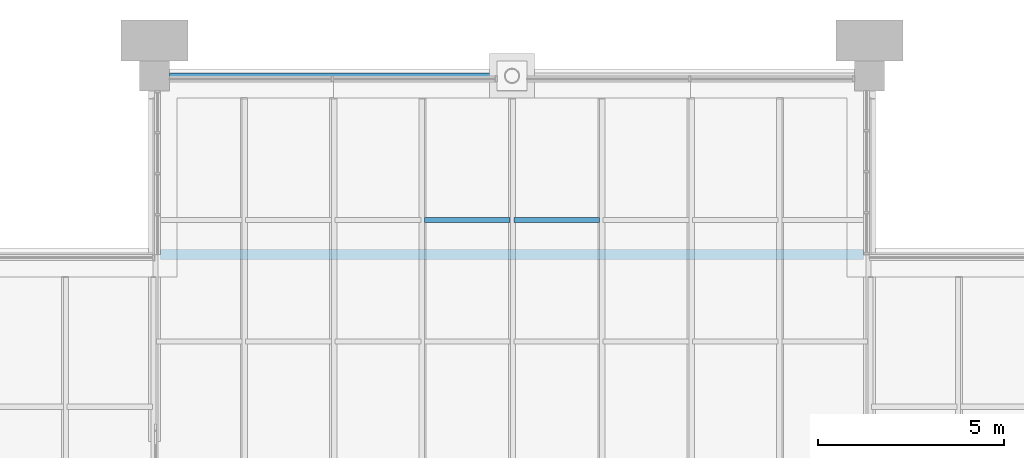
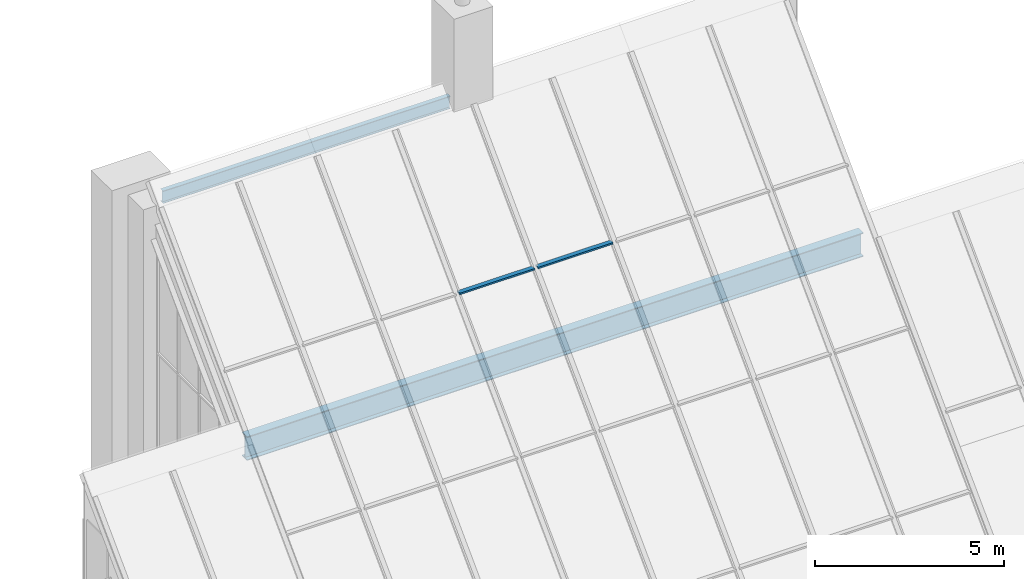
# One storey, part 9 of 25: 2 beams, 2 members, 2 elements without a shape of their own.
"""IFC4 building model written with IfcOpenShell, lengths in metres."""

from ifc_helpers import new_model, si_unit, direction, frame, origin, origin_2d, place, context, subcontext, project, spatial, rectangle, i_section, extrude, material, material_profile, profile_set, type_object, element, aggregate, save


model = new_model("IFC4")

# Units and contexts
model_context = context("Model", 3, precision=1e-05, world=origin(), true_north=direction((0.0, 1.0)))
body_context = subcontext(model_context, "Body", "Model", "MODEL_VIEW")
ifc_project = project(units=[si_unit("LENGTHUNIT", "METRE"), si_unit("AREAUNIT", "SQUARE_METRE"), si_unit("VOLUMEUNIT", "CUBIC_METRE"), si_unit("PLANEANGLEUNIT", "RADIAN"), si_unit("MASSUNIT", "GRAM", prefix="KILO")], contexts=[model_context])

# Site, building, storey
site_placement = place(None, origin())
site = spatial("IfcSite", under=ifc_project, at=site_placement, CompositionType="ELEMENT")
building_placement = place(site_placement, origin())
building = spatial("IfcBuilding", under=site, at=building_placement, Name="Baori Bourse Tower", CompositionType="ELEMENT")
storey_placement = place(building_placement, frame((0.0, 0.0, 378.300048828125)))
storey = spatial("IfcBuildingStorey", under=building, at=storey_placement, Name="Roof", CompositionType="ELEMENT", Elevation=378.300048828125)

# Curtain wall, member
ifc_material_1 = material(Name="Pale anodised aluminium", Category="aluminium")
curtain_wall_type = type_object("IfcCurtainWallType", Name="CW4 Curtain wall", PredefinedType="NOTDEFINED", material=ifc_material_1)
curtain_wall_1_placement = place(storey_placement, origin())
curtain_wall_1 = element("IfcCurtainWall", 1, at=curtain_wall_1_placement, inside=storey, type_object=curtain_wall_type, Name="Curtain wall CW4 roof glazing 15", PredefinedType="NOTDEFINED")
ifc_material_2 = material(Name="Pale anodised aluminium", Category="aluminium")
ifc_material_profile_1 = material_profile(ifc_material_2, rectangle(XDim=0.139892578125, YDim=0.054931640625, at=origin_2d()), Name="Transom 55x140")
ifc_profile_set_1 = profile_set([ifc_material_profile_1], Name="Pale anodised aluminium")
member_type = type_object("IfcMemberType", Name="CW4 Curtain wall transom", PredefinedType="USERDEFINED", material=ifc_profile_set_1)
member_1_placement = place(storey_placement, frame((26.449951171875, 44.13232421875, 29.283447265625), z_axis=(1.0, 0.0, 0.0), x_axis=(0.0, 1.0, 0.0)))
member_1 = element("IfcMember", 2, at=member_1_placement, type_object=member_type, Name="Curtain wall CW4 cross bar 15.9", ObjectType="TRANSOM", PredefinedType="USERDEFINED", context=body_context, shape_type="SweptSolid", body=[
    extrude(rectangle(XDim=0.139892578125, YDim=0.054931640625, at=origin_2d()), origin(), (0.0, 0.0, 1.0), 2.300048828125),
])
aggregate(curtain_wall_1, [member_1])

curtain_wall_2_placement = place(storey_placement, origin())
curtain_wall_2 = element("IfcCurtainWall", 3, at=curtain_wall_2_placement, inside=storey, type_object=curtain_wall_type, Name="Curtain wall CW4 roof glazing 17", PredefinedType="NOTDEFINED")
member_2_placement = place(storey_placement, frame((28.85009765625, 44.13232421875, 29.283447265625), z_axis=(1.0, 0.0, 0.0), x_axis=(0.0, 1.0, 0.0)))
member_2 = element("IfcMember", 4, at=member_2_placement, type_object=member_type, Name="Curtain wall CW4 cross bar 17.9", ObjectType="TRANSOM", PredefinedType="USERDEFINED", context=body_context, shape_type="SweptSolid", body=[
    extrude(rectangle(XDim=0.139892578125, YDim=0.054931640625, at=origin_2d()), origin(), (0.0, 0.0, 1.0), 2.2998046875),
])
aggregate(curtain_wall_2, [member_2])

# Beams
ifc_material_3 = material(Name="Steel A992 Gr 50", Category="steel")
ifc_material_profile_2 = material_profile(ifc_material_3, i_section(OverallWidth=0.140380859375, OverallDepth=0.40380859375, WebThickness=0.007080078125, FlangeThickness=0.01123046875, at=origin_2d()), Name="W16x31")
ifc_profile_set_2 = profile_set([ifc_material_profile_2], Name="Steel A992 Gr 50")
beam_type_1 = type_object("IfcBeamType", Name="Roof edge beam W16x31", PredefinedType="BEAM", material=ifc_profile_set_2)
beam_1_placement = place(storey_placement, frame((19.60009765625, 48.0, 32.466064453125), z_axis=(1.0, 0.0, 0.0), x_axis=(0.0, 1.0, 0.0)))
element("IfcBeam", 5, at=beam_1_placement, inside=storey, type_object=beam_type_1, Name="Roof edge beam Roof", PredefinedType="BEAM", context=body_context, shape_type="SweptSolid", body=[
    extrude(i_section(OverallWidth=0.140380859375, OverallDepth=0.40380859375, WebThickness=0.007080078125, FlangeThickness=0.01123046875, at=origin_2d()), origin(), (0.0, 0.0, 1.0), 8.7998046875),
])
ifc_material_4 = material(Name="Steel A992 Gr 50", Category="steel")
ifc_material_profile_3 = material_profile(ifc_material_4, i_section(OverallWidth=0.2666015625, OverallDepth=0.76953125, WebThickness=0.015625, FlangeThickness=0.025390625, at=origin_2d()), Name="W30x132")
ifc_profile_set_3 = profile_set([ifc_material_profile_3], Name="Steel A992 Gr 50")
beam_type_2 = type_object("IfcBeamType", Name="Roof purlin W30x132", PredefinedType="BEAM", material=ifc_profile_set_3)
beam_2_placement = place(storey_placement, frame((19.362548828125, 43.199951171875, 27.359375), z_axis=(1.0, 0.0, 0.0), x_axis=(0.0, 1.0, 0.0)))
element("IfcBeam", 6, at=beam_2_placement, inside=storey, type_object=beam_type_2, Name="Roof purlin Roof", PredefinedType="BEAM", context=body_context, shape_type="SweptSolid", body=[
    extrude(i_section(OverallWidth=0.2666015625, OverallDepth=0.76953125, WebThickness=0.015625, FlangeThickness=0.025390625, at=origin_2d()), origin(), (0.0, 0.0, 1.0), 18.875),
])

save(model, "model.ifc")
